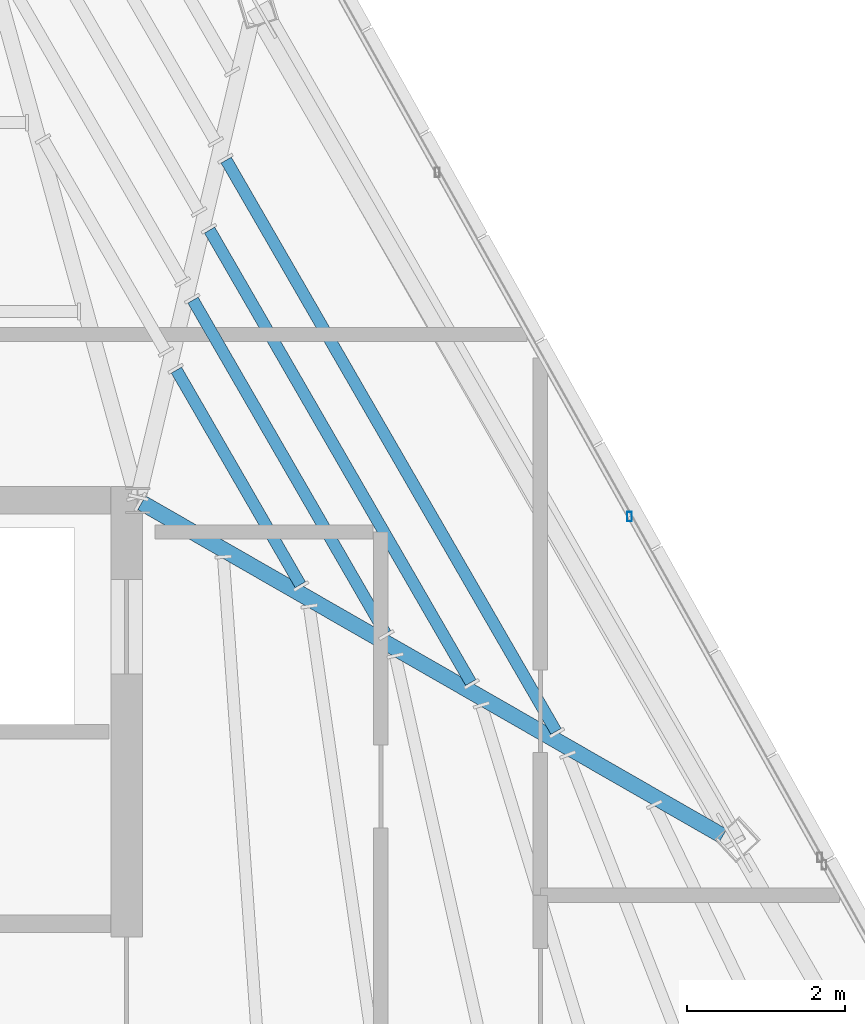
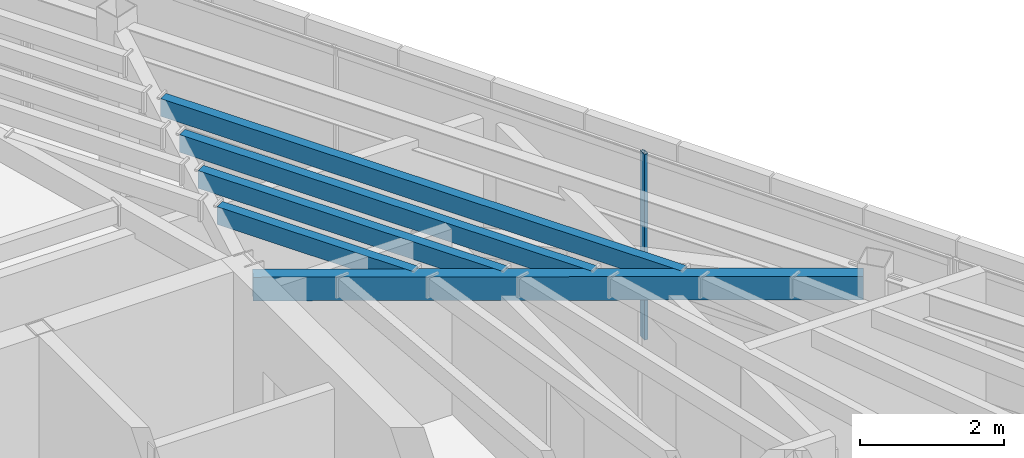
# One storey, part 28 of 47: 5 beams, 1 member, 1 element without a shape of its own.
"""IFC4 building model written with IfcOpenShell, lengths in metres."""

from ifc_helpers import new_model, si_unit, direction, frame, origin, origin_2d, place, context, subcontext, project, spatial, hollow_rectangle, extrude, source, transform, mapped, material, material_profile, profile_set, type_object, type_shapes, element, aggregate, save


model = new_model("IFC4")

# Units and contexts
model_context = context("Model", 3, precision=1e-05, world=origin(), true_north=direction((0.0, 1.0)))
body_context = subcontext(model_context, "Body", "Model", "MODEL_VIEW")
ifc_project = project(units=[si_unit("LENGTHUNIT", "METRE"), si_unit("AREAUNIT", "SQUARE_METRE"), si_unit("VOLUMEUNIT", "CUBIC_METRE"), si_unit("PLANEANGLEUNIT", "RADIAN"), si_unit("MASSUNIT", "GRAM", prefix="KILO")], contexts=[model_context])

# Site, building, storey
site_placement = place(None, origin())
site = spatial("IfcSite", under=ifc_project, at=site_placement, CompositionType="ELEMENT")
building_placement = place(site_placement, origin())
building = spatial("IfcBuilding", under=site, at=building_placement, Name="Caelisora Broadcast Tower", CompositionType="ELEMENT")
storey_placement = place(building_placement, frame((0.0, 0.0, 293.199951171875)))
storey = spatial("IfcBuildingStorey", under=building, at=storey_placement, Name="L77", CompositionType="ELEMENT", Elevation=293.199951171875)

# Beams
ifc_material_1 = material(Name="Steel Grade 350 (AS/NZS 1163 C350L0)", Category="steel")
ifc_material_profile_1 = material_profile(ifc_material_1, hollow_rectangle(XDim=0.14990234375, YDim=0.300048828125, WallThickness=0.010009765625, at=origin_2d()), Name="Steel Grade 350 (AS/NZS 1163 C350L0)")
ifc_profile_set_1 = profile_set([ifc_material_profile_1], Name="Steel Grade 350 (AS/NZS 1163 C350L0)")
beam_type_1 = type_object("IfcBeamType", Name="SB05", PredefinedType="JOIST", material=ifc_profile_set_1)
shared_shape_1 = source(origin(), body_context, "Body", "SweptSolid", [
    extrude(hollow_rectangle(XDim=0.14990234375, YDim=0.300048828125, WallThickness=0.010009765625, at=origin_2d()), origin(), (0.0, 0.0, 1.0), 3.138427734375),
])
beam_1_placement = place(storey_placement, frame((47.560791015625, 28.931396484375, 3.0), z_axis=(-0.499962627957, 0.866046979468, 0.0), x_axis=(-0.866046979468, -0.499962627957, 0.0)))
element("IfcBeam", 1, at=beam_1_placement, inside=storey, type_object=beam_type_1, Name="L77 beam SB05", PredefinedType="JOIST", context=body_context, shape_type="MappedRepresentation", body=[
    mapped(shared_shape_1, transform((0.0, 0.0, 0.0), scale=1.0)),
])
ifc_material_profile_2 = material_profile(ifc_material_1, hollow_rectangle(XDim=0.199951171875, YDim=0.39990234375, WallThickness=0.012451171875, at=origin_2d()), Name="Steel Grade 350 (AS/NZS 1163 C350L0)")
ifc_profile_set_2 = profile_set([ifc_material_profile_2], Name="Steel Grade 350 (AS/NZS 1163 C350L0)")
beam_type_2 = type_object("IfcBeamType", Name="PG07", PredefinedType="BEAM", material=ifc_profile_set_2)
shared_shape_2 = source(origin(), body_context, "Body", "SweptSolid", [
    extrude(hollow_rectangle(XDim=0.199951171875, YDim=0.39990234375, WallThickness=0.012451171875, at=origin_2d()), origin(), (0.0, 0.0, 1.0), 8.482666015625),
])
type_shapes(beam_type_2, [shared_shape_2])
beam_2_placement = place(storey_placement, frame((45.552001953125, 29.97021484375, 2.949951171875), z_axis=(0.867439672659, -0.497542374374, 0.0), x_axis=(0.497542374374, 0.867439672659, 0.0)))
element("IfcBeam", 2, at=beam_2_placement, inside=storey, type_object=beam_type_2, Name="L77 beam PG07", PredefinedType="BEAM", context=body_context, shape_type="MappedRepresentation", body=[
    mapped(shared_shape_2, transform((0.0, 0.0, 0.0), scale=1.0)),
])
shared_shape_3 = source(origin(), body_context, "Body", "SweptSolid", [
    extrude(hollow_rectangle(XDim=0.14990234375, YDim=0.300048828125, WallThickness=0.010009765625, at=origin_2d()), origin(), (0.0, 0.0, 1.0), 4.876708984375),
])
beam_3_placement = place(storey_placement, frame((48.64013671875, 28.3125, 3.0), z_axis=(-0.500015682727, 0.866016349168, 0.0), x_axis=(-0.866016349168, -0.500015682727, 0.0)))
element("IfcBeam", 3, at=beam_3_placement, inside=storey, type_object=beam_type_1, Name="L77 beam SB05", PredefinedType="JOIST", context=body_context, shape_type="MappedRepresentation", body=[
    mapped(shared_shape_3, transform((0.0, 0.0, 0.0), scale=1.0)),
])
shared_shape_4 = source(origin(), body_context, "Body", "SweptSolid", [
    extrude(hollow_rectangle(XDim=0.14990234375, YDim=0.300048828125, WallThickness=0.010009765625, at=origin_2d()), origin(), (0.0, 0.0, 1.0), 6.61572265625),
])
beam_4_placement = place(storey_placement, frame((49.7197265625, 27.693115234375, 3.0), z_axis=(-0.499992911442, 0.866029496326, 0.0), x_axis=(-0.866029496326, -0.499992911442, 0.0)))
element("IfcBeam", 4, at=beam_4_placement, inside=storey, type_object=beam_type_1, Name="L77 beam SB05", PredefinedType="JOIST", context=body_context, shape_type="MappedRepresentation", body=[
    mapped(shared_shape_4, transform((0.0, 0.0, 0.0), scale=1.0)),
])
shared_shape_5 = source(origin(), body_context, "Body", "SweptSolid", [
    extrude(hollow_rectangle(XDim=0.14990234375, YDim=0.300048828125, WallThickness=0.010009765625, at=origin_2d()), origin(), (0.0, 0.0, 1.0), 8.354248046875),
])
type_shapes(beam_type_1, [shared_shape_1, shared_shape_3, shared_shape_4, shared_shape_5])
beam_5_placement = place(storey_placement, frame((50.799072265625, 27.07421875, 3.0), z_axis=(-0.500017580647, 0.866015253355, 0.0), x_axis=(-0.866015253355, -0.500017580647, 0.0)))
element("IfcBeam", 5, at=beam_5_placement, inside=storey, type_object=beam_type_1, Name="L77 beam SB05", PredefinedType="JOIST", context=body_context, shape_type="MappedRepresentation", body=[
    mapped(shared_shape_5, transform((0.0, 0.0, 0.0), scale=1.0)),
])

# Curtain wall, member
ifc_material_2 = material(Name="Unitised Aluminium Insulated Shadow-Box Spandrel Curtain Wall", Category="aluminium")
curtain_wall_type = type_object("IfcCurtainWallType", Name="CW-SP3", PredefinedType="NOTDEFINED", material=ifc_material_2)
curtain_wall_placement = place(storey_placement, origin())
curtain_wall = element("IfcCurtainWall", 6, at=curtain_wall_placement, inside=storey, type_object=curtain_wall_type, Name="L77 curtain wall CW-SP3", PredefinedType="NOTDEFINED")
ifc_material_3 = material(Name="Aluminium 6063-T6 Anodised Terracotta Bronze", Category="aluminium")
ifc_material_profile_3 = material_profile(ifc_material_3, hollow_rectangle(XDim=0.06005859375, YDim=0.1201171875, WallThickness=0.0029296875, at=origin_2d()), Name="Aluminium 6063-T6 Anodised Terracotta Bronze")
ifc_profile_set_3 = profile_set([ifc_material_profile_3], Name="Aluminium 6063-T6 Anodised Terracotta Bronze")
member_type = type_object("IfcMemberType", Name="CWM-04", PredefinedType="MULLION", material=ifc_profile_set_3)
shared_shape_6 = source(origin(), body_context, "Body", "SweptSolid", [
    extrude(hollow_rectangle(XDim=0.06005859375, YDim=0.1201171875, WallThickness=0.0029296875, at=origin_2d()), origin(), (0.0, 0.0, 1.0), 3.150146484375),
])
type_shapes(member_type, [shared_shape_6])
member_placement = place(storey_placement, frame((51.72900390625, 29.794921875, 0.0), z_axis=(0.0, 0.0, 1.0), x_axis=(1.0, 0.0, 0.0)))
member = element("IfcMember", 7, at=member_placement, type_object=member_type, Name="L77-CW-B02 mullion #2", PredefinedType="MULLION", context=body_context, shape_type="MappedRepresentation", body=[
    mapped(shared_shape_6, transform((0.0, 0.0, 0.0), scale=1.0)),
])
aggregate(curtain_wall, [member])

save(model, "model.ifc")
